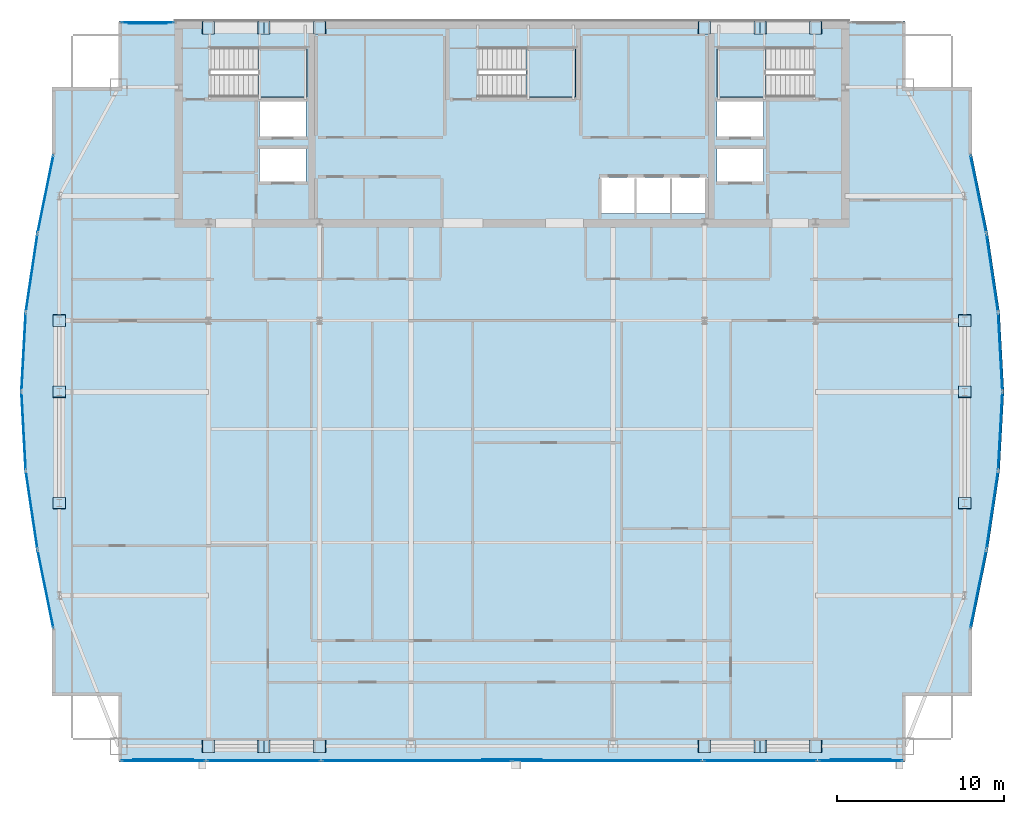
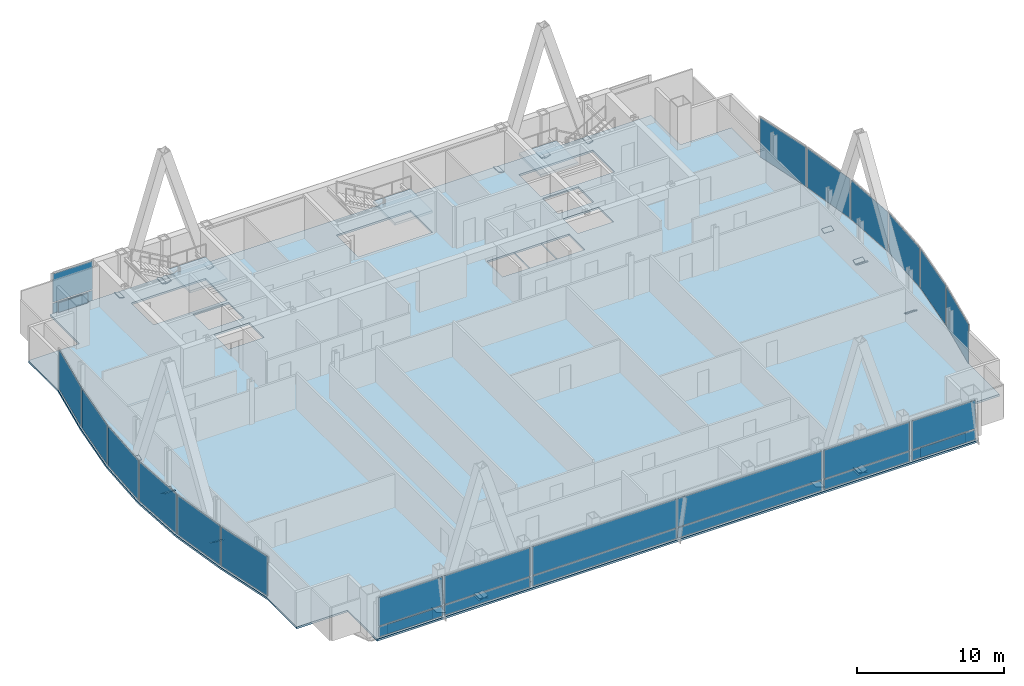
# One storey, part 25 of 31: 54 plates, 4 slabs, 21 elements without a shape of their own.
"""IFC4 building model written with IfcOpenShell, lengths in metres."""

from ifc_helpers import new_model, si_unit, direction, frame, origin, origin_2d, place, context, subcontext, project, spatial, polyline, rectangle, outline, extrude, material, layer, layer_set, type_object, element, aggregate, save


model = new_model("IFC4")

# Units and contexts
model_context = context("Model", 3, precision=1e-05, world=origin(), true_north=direction((0.0, 1.0)))
body_context = subcontext(model_context, "Body", "Model", "MODEL_VIEW")
ifc_project = project(units=[si_unit("LENGTHUNIT", "METRE"), si_unit("AREAUNIT", "SQUARE_METRE"), si_unit("VOLUMEUNIT", "CUBIC_METRE"), si_unit("PLANEANGLEUNIT", "RADIAN"), si_unit("MASSUNIT", "GRAM", prefix="KILO")], contexts=[model_context])

# Site, building, storey
site_placement = place(None, origin())
site = spatial("IfcSite", under=ifc_project, at=site_placement, CompositionType="ELEMENT")
building_placement = place(site_placement, origin())
building = spatial("IfcBuilding", under=site, at=building_placement, Name="Khoronbel Lancet Exchange", CompositionType="ELEMENT")
storey_placement = place(building_placement, frame((0.0, 0.0, 273.39990234375)))
storey = spatial("IfcBuildingStorey", under=building, at=storey_placement, Name="L70", CompositionType="ELEMENT", Elevation=273.39990234375)

# Curtain wall, plate
ifc_material_1 = material(Name="Low-E Solar Control Insulating Glass", Category="glass")
curtain_wall_type_1 = type_object("IfcCurtainWallType", Name="CW-4", PredefinedType="NOTDEFINED", material=ifc_material_1)
curtain_wall_1_placement = place(storey_placement, origin())
curtain_wall_1 = element("IfcCurtainWall", 1, at=curtain_wall_1_placement, inside=storey, type_object=curtain_wall_type_1, Name="Unitised curtain wall CW-L70-E05", PredefinedType="NOTDEFINED")
ifc_material_2 = material(Name="Bronze-Anodised Aluminium 6063-T6", Category="aluminium")
ifc_layer_1 = layer(ifc_material_2, 0.050048828125, Name="Bronze-Anodised Aluminium 6063-T6")
ifc_layer_set_1 = layer_set([ifc_layer_1], Name="Bronze-Anodised Aluminium 6063-T6")
plate_type_1 = type_object("IfcPlateType", Name="PLT-CSP1", PredefinedType="SHEET", material=ifc_layer_set_1)
plate_1_placement = place(storey_placement, frame((7.62060546875, 24.33740234375, 0.085205078125), z_axis=(0.0, 0.0, 1.0), x_axis=(-0.147152445645, 0.989113824461, 0.0)))
plate_1 = element("IfcPlate", 2, at=plate_1_placement, type_object=plate_type_1, Name="CW4 panel 1.1", PredefinedType="CURTAIN_PANEL", context=body_context, shape_type="SweptSolid", body=[
    extrude(rectangle(XDim=4.645751953125, YDim=0.0380859375, at=origin_2d()), origin(), (0.0, 0.0, 1.0), 3.27001953125),
])
aggregate(curtain_wall_1, [plate_1])

curtain_wall_2_placement = place(storey_placement, origin())
curtain_wall_2 = element("IfcCurtainWall", 3, at=curtain_wall_2_placement, inside=storey, type_object=curtain_wall_type_1, Name="Unitised curtain wall CW-L70-E06", PredefinedType="NOTDEFINED")
plate_2_placement = place(storey_placement, frame((7.138671875, 29.07958984375, 0.085205078125), z_axis=(0.0, 0.0, 1.0), x_axis=(-0.05436064141, 0.998521367155, 0.0)))
plate_2 = element("IfcPlate", 4, at=plate_2_placement, type_object=plate_type_1, Name="CW4 panel 1.1", PredefinedType="CURTAIN_PANEL", context=body_context, shape_type="SweptSolid", body=[
    extrude(rectangle(XDim=4.597900390625, YDim=0.0380859375, at=origin_2d()), origin(), (0.0, 0.0, 1.0), 3.27001953125),
])
aggregate(curtain_wall_2, [plate_2])

curtain_wall_3_placement = place(storey_placement, origin())
curtain_wall_3 = element("IfcCurtainWall", 5, at=curtain_wall_3_placement, inside=storey, type_object=curtain_wall_type_1, Name="Unitised curtain wall CW-L70-E07", PredefinedType="NOTDEFINED")
plate_3_placement = place(storey_placement, frame((7.138671875, 33.820556640625, 0.085205078125), z_axis=(0.0, 0.0, 1.0), x_axis=(0.05436064141, 0.998521367155, 0.0)))
plate_3 = element("IfcPlate", 6, at=plate_3_placement, type_object=plate_type_1, Name="CW4 panel 1.1", PredefinedType="CURTAIN_PANEL", context=body_context, shape_type="SweptSolid", body=[
    extrude(rectangle(XDim=4.597900390625, YDim=0.0380859375, at=origin_2d()), origin(), (0.0, 0.0, 1.0), 3.27001953125),
])
aggregate(curtain_wall_3, [plate_3])

curtain_wall_4_placement = place(storey_placement, origin())
curtain_wall_4 = element("IfcCurtainWall", 7, at=curtain_wall_4_placement, inside=storey, type_object=curtain_wall_type_1, Name="Unitised curtain wall CW-L70-E08", PredefinedType="NOTDEFINED")
plate_4_placement = place(storey_placement, frame((7.62060546875, 38.562744140625, 0.085205078125), z_axis=(0.0, 0.0, 1.0), x_axis=(0.147152445645, 0.989113824461, 0.0)))
plate_4 = element("IfcPlate", 8, at=plate_4_placement, type_object=plate_type_1, Name="CW4 panel 1.1", PredefinedType="CURTAIN_PANEL", context=body_context, shape_type="SweptSolid", body=[
    extrude(rectangle(XDim=4.645751953125, YDim=0.0380859375, at=origin_2d()), origin(), (0.0, 0.0, 1.0), 3.27001953125),
])
aggregate(curtain_wall_4, [plate_4])

curtain_wall_type_2 = type_object("IfcCurtainWallType", Name="CW-3", PredefinedType="NOTDEFINED", material=ifc_material_1)
curtain_wall_5_placement = place(storey_placement, origin())
curtain_wall_5 = element("IfcCurtainWall", 9, at=curtain_wall_5_placement, inside=storey, type_object=curtain_wall_type_2, Name="Unitised curtain wall CW-L70-NWFLK", PredefinedType="NOTDEFINED")
plate_5_placement = place(storey_placement, frame((14.580078125, 53.550048828125, 0.05029296875), z_axis=(0.0, 0.0, 1.0), x_axis=(-1.0, 0.0, 0.0)))
plate_5 = element("IfcPlate", 10, at=plate_5_placement, type_object=plate_type_1, Name="Insulated bronze spandrel cassette CW-L70-NWFLK", PredefinedType="SHEET", context=body_context, shape_type="SweptSolid", body=[
    extrude(rectangle(XDim=2.2958984375, YDim=0.050048828125, at=origin_2d()), origin(), (0.0, 0.0, 1.0), 0.800048828125),
])

curtain_wall_6_placement = place(storey_placement, origin())
curtain_wall_6 = element("IfcCurtainWall", 11, at=curtain_wall_6_placement, inside=storey, type_object=curtain_wall_type_1, Name="Unitised curtain wall CW-L70-E18", PredefinedType="NOTDEFINED")
plate_6_placement = place(storey_placement, frame((65.279296875, 38.562744140625, 0.085205078125), z_axis=(0.0, 0.0, 1.0), x_axis=(0.147152445645, -0.989113824461, 0.0)))
plate_6 = element("IfcPlate", 12, at=plate_6_placement, type_object=plate_type_1, Name="CW4 panel 1.1", PredefinedType="CURTAIN_PANEL", context=body_context, shape_type="SweptSolid", body=[
    extrude(rectangle(XDim=4.645751953125, YDim=0.0380859375, at=origin_2d()), origin(), (0.0, 0.0, 1.0), 3.27001953125),
])
aggregate(curtain_wall_6, [plate_6])

curtain_wall_7_placement = place(storey_placement, origin())
curtain_wall_7 = element("IfcCurtainWall", 13, at=curtain_wall_7_placement, inside=storey, type_object=curtain_wall_type_1, Name="Unitised curtain wall CW-L70-E19", PredefinedType="NOTDEFINED")
plate_7_placement = place(storey_placement, frame((65.76123046875, 33.820556640625, 0.085205078125), z_axis=(0.0, 0.0, 1.0), x_axis=(0.05436064141, -0.998521367155, 0.0)))
plate_7 = element("IfcPlate", 14, at=plate_7_placement, type_object=plate_type_1, Name="CW4 panel 1.1", PredefinedType="CURTAIN_PANEL", context=body_context, shape_type="SweptSolid", body=[
    extrude(rectangle(XDim=4.597900390625, YDim=0.0380859375, at=origin_2d()), origin(), (0.0, 0.0, 1.0), 3.27001953125),
])
aggregate(curtain_wall_7, [plate_7])

curtain_wall_8_placement = place(storey_placement, origin())
curtain_wall_8 = element("IfcCurtainWall", 15, at=curtain_wall_8_placement, inside=storey, type_object=curtain_wall_type_1, Name="Unitised curtain wall CW-L70-E20", PredefinedType="NOTDEFINED")
plate_8_placement = place(storey_placement, frame((65.76123046875, 29.07958984375, 0.085205078125), z_axis=(0.0, 0.0, 1.0), x_axis=(-0.05436064141, -0.998521367155, 0.0)))
plate_8 = element("IfcPlate", 16, at=plate_8_placement, type_object=plate_type_1, Name="CW4 panel 1.1", PredefinedType="CURTAIN_PANEL", context=body_context, shape_type="SweptSolid", body=[
    extrude(rectangle(XDim=4.597900390625, YDim=0.0380859375, at=origin_2d()), origin(), (0.0, 0.0, 1.0), 3.27001953125),
])
aggregate(curtain_wall_8, [plate_8])

curtain_wall_9_placement = place(storey_placement, origin())
curtain_wall_9 = element("IfcCurtainWall", 17, at=curtain_wall_9_placement, inside=storey, type_object=curtain_wall_type_1, Name="Unitised curtain wall CW-L70-E21", PredefinedType="NOTDEFINED")
plate_9_placement = place(storey_placement, frame((65.279296875, 24.33740234375, 0.085205078125), z_axis=(0.0, 0.0, 1.0), x_axis=(-0.147152445645, -0.989113824461, 0.0)))
plate_9 = element("IfcPlate", 18, at=plate_9_placement, type_object=plate_type_1, Name="CW4 panel 1.1", PredefinedType="CURTAIN_PANEL", context=body_context, shape_type="SweptSolid", body=[
    extrude(rectangle(XDim=4.645751953125, YDim=0.0380859375, at=origin_2d()), origin(), (0.0, 0.0, 1.0), 3.27001953125),
])
aggregate(curtain_wall_9, [plate_9])

curtain_wall_10_placement = place(storey_placement, origin())
curtain_wall_10 = element("IfcCurtainWall", 19, at=curtain_wall_10_placement, inside=storey, type_object=curtain_wall_type_2, Name="Unitised curtain wall CW-L70-SWV", PredefinedType="NOTDEFINED")
plate_10_placement = place(storey_placement, frame((15.52001953125, 9.35009765625, 0.05029296875), z_axis=(0.0, 0.0, 1.0), x_axis=(1.0, 0.0, 0.0)))
plate_10 = element("IfcPlate", 20, at=plate_10_placement, type_object=plate_type_1, Name="Insulated bronze spandrel cassette CW-L70-SWV", PredefinedType="SHEET", context=body_context, shape_type="SweptSolid", body=[
    extrude(rectangle(XDim=3.60009765625, YDim=0.050048828125, at=origin_2d()), origin(), (0.0, 0.0, 1.0), 0.800048828125),
])

# Curtain wall, plates
curtain_wall_11_placement = place(storey_placement, origin())
curtain_wall_11 = element("IfcCurtainWall", 21, at=curtain_wall_11_placement, inside=storey, type_object=curtain_wall_type_2, Name="Unitised curtain wall CW-L70-SWB", PredefinedType="NOTDEFINED")
plate_11_placement = place(storey_placement, frame((21.550048828125, 9.2900390625, 0.0849609375), z_axis=(0.0, 0.0, 1.0), x_axis=(1.0, 0.0, 0.0)))
plate_11 = element("IfcPlate", 22, at=plate_11_placement, type_object=plate_type_1, Name="CW3 panel 1.1", PredefinedType="CURTAIN_PANEL", context=body_context, shape_type="SweptSolid", body=[
    extrude(rectangle(XDim=6.72998046875, YDim=0.0380859375, at=origin_2d()), origin(), (0.0, 0.0, 1.0), 0.822509765625),
])
plate_12_placement = place(storey_placement, frame((21.550048828125, 9.2900390625, 0.99267578125), z_axis=(0.0, 0.0, 1.0), x_axis=(1.0, 0.0, 0.0)))
plate_12 = element("IfcPlate", 23, at=plate_12_placement, type_object=plate_type_1, Name="CW3 panel 1.2", PredefinedType="CURTAIN_PANEL", context=body_context, shape_type="SweptSolid", body=[
    extrude(rectangle(XDim=6.72998046875, YDim=0.0380859375, at=origin_2d()), origin(), (0.0, 0.0, 1.0), 2.362548828125),
])
aggregate(curtain_wall_11, [plate_11, plate_12])

# Curtain wall, plate
curtain_wall_12_placement = place(storey_placement, origin())
curtain_wall_12 = element("IfcCurtainWall", 24, at=curtain_wall_12_placement, inside=storey, type_object=curtain_wall_type_2, Name="Unitised curtain wall CW-L70-SCV", PredefinedType="NOTDEFINED")
plate_13_placement = place(storey_placement, frame((36.449951171875, 9.35009765625, 0.05029296875), z_axis=(0.0, 0.0, 1.0), x_axis=(1.0, 0.0, 0.0)))
plate_13 = element("IfcPlate", 25, at=plate_13_placement, type_object=plate_type_1, Name="Insulated bronze spandrel cassette CW-L70-SCV", PredefinedType="SHEET", context=body_context, shape_type="SweptSolid", body=[
    extrude(rectangle(XDim=3.60009765625, YDim=0.050048828125, at=origin_2d()), origin(), (0.0, 0.0, 1.0), 0.800048828125),
])

# Curtain wall, plates
curtain_wall_13_placement = place(storey_placement, origin())
curtain_wall_13 = element("IfcCurtainWall", 26, at=curtain_wall_13_placement, inside=storey, type_object=curtain_wall_type_2, Name="Unitised curtain wall CW-L70-SEB", PredefinedType="NOTDEFINED")
plate_14_placement = place(storey_placement, frame((51.35009765625, 9.2900390625, 0.0849609375), z_axis=(0.0, 0.0, 1.0), x_axis=(1.0, 0.0, 0.0)))
plate_14 = element("IfcPlate", 27, at=plate_14_placement, type_object=plate_type_1, Name="CW3 panel 1.1", PredefinedType="CURTAIN_PANEL", context=body_context, shape_type="SweptSolid", body=[
    extrude(rectangle(XDim=6.72998046875, YDim=0.0380859375, at=origin_2d()), origin(), (0.0, 0.0, 1.0), 0.822509765625),
])
plate_15_placement = place(storey_placement, frame((51.35009765625, 9.2900390625, 0.99267578125), z_axis=(0.0, 0.0, 1.0), x_axis=(1.0, 0.0, 0.0)))
plate_15 = element("IfcPlate", 28, at=plate_15_placement, type_object=plate_type_1, Name="CW3 panel 1.2", PredefinedType="CURTAIN_PANEL", context=body_context, shape_type="SweptSolid", body=[
    extrude(rectangle(XDim=6.72998046875, YDim=0.0380859375, at=origin_2d()), origin(), (0.0, 0.0, 1.0), 2.362548828125),
])
aggregate(curtain_wall_13, [plate_14, plate_15])

# Curtain wall, plate
curtain_wall_14_placement = place(storey_placement, origin())
curtain_wall_14 = element("IfcCurtainWall", 29, at=curtain_wall_14_placement, inside=storey, type_object=curtain_wall_type_2, Name="Unitised curtain wall CW-L70-SEV", PredefinedType="NOTDEFINED")
plate_16_placement = place(storey_placement, frame((57.3798828125, 9.35009765625, 0.05029296875), z_axis=(0.0, 0.0, 1.0), x_axis=(1.0, 0.0, 0.0)))
plate_16 = element("IfcPlate", 30, at=plate_16_placement, type_object=plate_type_1, Name="Insulated bronze spandrel cassette CW-L70-SEV", PredefinedType="SHEET", context=body_context, shape_type="SweptSolid", body=[
    extrude(rectangle(XDim=3.60009765625, YDim=0.050048828125, at=origin_2d()), origin(), (0.0, 0.0, 1.0), 0.800048828125),
])

# Plate
ifc_layer_2 = layer(ifc_material_1, 0.035888671875, Name="Low-E Solar Control Insulating Glass")
ifc_layer_set_2 = layer_set([ifc_layer_2], Name="Low-E Solar Control Insulating Glass")
plate_type_2 = type_object("IfcPlateType", Name="PLT-CWP1", PredefinedType="CURTAIN_PANEL", material=ifc_layer_set_2)
plate_17_placement = place(storey_placement, frame((14.580078125, 53.610107421875, 0.0849609375), z_axis=(0.0, 0.0, 1.0), x_axis=(-1.0, 0.0, 0.0)))
plate_17 = element("IfcPlate", 31, at=plate_17_placement, type_object=plate_type_2, Name="CW3 panel 1.1", PredefinedType="CURTAIN_PANEL", context=body_context, shape_type="SweptSolid", body=[
    extrude(rectangle(XDim=3.110107421875, YDim=0.0380859375, at=origin_2d()), origin(), (0.0, 0.0, 1.0), 0.822509765625),
])

plate_18_placement = place(storey_placement, frame((14.580078125, 53.610107421875, 0.99267578125), z_axis=(0.0, 0.0, 1.0), x_axis=(-1.0, 0.0, 0.0)))
plate_18 = element("IfcPlate", 32, at=plate_18_placement, type_object=plate_type_2, Name="CW3 panel 1.2", PredefinedType="CURTAIN_PANEL", context=body_context, shape_type="SweptSolid", body=[
    extrude(rectangle(XDim=3.110107421875, YDim=0.0380859375, at=origin_2d()), origin(), (0.0, 0.0, 1.0), 2.362548828125),
])

aggregate(curtain_wall_5, [plate_17, plate_18, plate_5])

plate_19_placement = place(storey_placement, frame((15.52001953125, 9.2900390625, 0.0849609375), z_axis=(0.0, 0.0, 1.0), x_axis=(1.0, 0.0, 0.0)))
plate_19 = element("IfcPlate", 33, at=plate_19_placement, type_object=plate_type_2, Name="CW3 panel 1.1", PredefinedType="CURTAIN_PANEL", context=body_context, shape_type="SweptSolid", body=[
    extrude(rectangle(XDim=4.989990234375, YDim=0.0380859375, at=origin_2d()), origin(), (0.0, 0.0, 1.0), 0.822509765625),
])

plate_20_placement = place(storey_placement, frame((15.52001953125, 9.2900390625, 0.99267578125), z_axis=(0.0, 0.0, 1.0), x_axis=(1.0, 0.0, 0.0)))
plate_20 = element("IfcPlate", 34, at=plate_20_placement, type_object=plate_type_2, Name="CW3 panel 1.2", PredefinedType="CURTAIN_PANEL", context=body_context, shape_type="SweptSolid", body=[
    extrude(rectangle(XDim=4.989990234375, YDim=0.0380859375, at=origin_2d()), origin(), (0.0, 0.0, 1.0), 2.362548828125),
])

aggregate(curtain_wall_10, [plate_19, plate_20, plate_10])

plate_21_placement = place(storey_placement, frame((30.746337890625, 9.2900390625, 0.0849609375), z_axis=(0.0, 0.0, 1.0), x_axis=(1.0, 0.0, 0.0)))
plate_21 = element("IfcPlate", 35, at=plate_21_placement, type_object=plate_type_2, Name="CW3 panel 1.1", PredefinedType="CURTAIN_PANEL", context=body_context, shape_type="SweptSolid", body=[
    extrude(rectangle(XDim=11.322509765625, YDim=0.0380859375, at=origin_2d()), origin(), (0.0, 0.0, 1.0), 0.822509765625),
])

plate_22_placement = place(storey_placement, frame((30.746337890625, 9.2900390625, 0.99267578125), z_axis=(0.0, 0.0, 1.0), x_axis=(1.0, 0.0, 0.0)))
plate_22 = element("IfcPlate", 36, at=plate_22_placement, type_object=plate_type_2, Name="CW3 panel 1.2", PredefinedType="CURTAIN_PANEL", context=body_context, shape_type="SweptSolid", body=[
    extrude(rectangle(XDim=11.322509765625, YDim=0.0380859375, at=origin_2d()), origin(), (0.0, 0.0, 1.0), 2.362548828125),
])

plate_23_placement = place(storey_placement, frame((42.15380859375, 9.2900390625, 0.0849609375), z_axis=(0.0, 0.0, 1.0), x_axis=(1.0, 0.0, 0.0)))
plate_23 = element("IfcPlate", 37, at=plate_23_placement, type_object=plate_type_2, Name="CW3 panel 2.1", PredefinedType="CURTAIN_PANEL", context=body_context, shape_type="SweptSolid", body=[
    extrude(rectangle(XDim=11.322509765625, YDim=0.0380859375, at=origin_2d()), origin(), (0.0, 0.0, 1.0), 0.822509765625),
])

plate_24_placement = place(storey_placement, frame((42.15380859375, 9.2900390625, 0.99267578125), z_axis=(0.0, 0.0, 1.0), x_axis=(1.0, 0.0, 0.0)))
plate_24 = element("IfcPlate", 38, at=plate_24_placement, type_object=plate_type_2, Name="CW3 panel 2.2", PredefinedType="CURTAIN_PANEL", context=body_context, shape_type="SweptSolid", body=[
    extrude(rectangle(XDim=11.322509765625, YDim=0.0380859375, at=origin_2d()), origin(), (0.0, 0.0, 1.0), 2.362548828125),
])

aggregate(curtain_wall_12, [plate_21, plate_22, plate_23, plate_24, plate_13])

plate_25_placement = place(storey_placement, frame((57.3798828125, 9.2900390625, 0.0849609375), z_axis=(0.0, 0.0, 1.0), x_axis=(1.0, 0.0, 0.0)))
plate_25 = element("IfcPlate", 39, at=plate_25_placement, type_object=plate_type_2, Name="CW3 panel 1.1", PredefinedType="CURTAIN_PANEL", context=body_context, shape_type="SweptSolid", body=[
    extrude(rectangle(XDim=4.989990234375, YDim=0.0380859375, at=origin_2d()), origin(), (0.0, 0.0, 1.0), 0.822509765625),
])

plate_26_placement = place(storey_placement, frame((57.3798828125, 9.2900390625, 0.99267578125), z_axis=(0.0, 0.0, 1.0), x_axis=(1.0, 0.0, 0.0)))
plate_26 = element("IfcPlate", 40, at=plate_26_placement, type_object=plate_type_2, Name="CW3 panel 1.2", PredefinedType="CURTAIN_PANEL", context=body_context, shape_type="SweptSolid", body=[
    extrude(rectangle(XDim=4.989990234375, YDim=0.0380859375, at=origin_2d()), origin(), (0.0, 0.0, 1.0), 2.362548828125),
])

aggregate(curtain_wall_14, [plate_25, plate_26, plate_16])

# Curtain wall, plate
curtain_wall_15_placement = place(storey_placement, origin())
curtain_wall_15 = element("IfcCurtainWall", 41, at=curtain_wall_15_placement, inside=storey, type_object=curtain_wall_type_1, Name="Unitised curtain wall CW-L70-E04", PredefinedType="NOTDEFINED")
ifc_material_3 = material(Name="Ceramic-Fritted Laminated Insulating Glass", Category="glass")
ifc_layer_3 = layer(ifc_material_3, 0.0419921875, Name="Ceramic-Fritted Laminated Insulating Glass")
ifc_layer_set_3 = layer_set([ifc_layer_3], Name="Ceramic-Fritted Laminated Insulating Glass")
plate_type_3 = type_object("IfcPlateType", Name="PLT-CWP2", PredefinedType="CURTAIN_PANEL", material=ifc_layer_set_3)
plate_27_placement = place(storey_placement, frame((8.456787109375, 19.58740234375, 0.085205078125), z_axis=(0.0, 0.0, 1.0), x_axis=(-0.199126393935, 0.979973815588, 0.0)))
plate_27 = element("IfcPlate", 42, at=plate_27_placement, type_object=plate_type_3, Name="CW4 panel 1.1", PredefinedType="CURTAIN_PANEL", context=body_context, shape_type="SweptSolid", body=[
    extrude(rectangle(XDim=4.70361328125, YDim=0.0380859375, at=origin_2d()), origin(), (0.0, 0.0, 1.0), 3.27001953125),
])
aggregate(curtain_wall_15, [plate_27])

curtain_wall_16_placement = place(storey_placement, origin())
curtain_wall_16 = element("IfcCurtainWall", 43, at=curtain_wall_16_placement, inside=storey, type_object=curtain_wall_type_1, Name="Unitised curtain wall CW-L70-E09", PredefinedType="NOTDEFINED")
plate_28_placement = place(storey_placement, frame((8.456787109375, 43.312744140625, 0.085205078125), z_axis=(0.0, 0.0, 1.0), x_axis=(0.199126393935, 0.979973815588, 0.0)))
plate_28 = element("IfcPlate", 44, at=plate_28_placement, type_object=plate_type_3, Name="CW4 panel 1.1", PredefinedType="CURTAIN_PANEL", context=body_context, shape_type="SweptSolid", body=[
    extrude(rectangle(XDim=4.70361328125, YDim=0.0380859375, at=origin_2d()), origin(), (0.0, 0.0, 1.0), 3.27001953125),
])
aggregate(curtain_wall_16, [plate_28])

curtain_wall_17_placement = place(storey_placement, origin())
curtain_wall_17 = element("IfcCurtainWall", 45, at=curtain_wall_17_placement, inside=storey, type_object=curtain_wall_type_1, Name="Unitised curtain wall CW-L70-E17", PredefinedType="NOTDEFINED")
plate_29_placement = place(storey_placement, frame((64.443359375, 43.312744140625, 0.085205078125), z_axis=(0.0, 0.0, 1.0), x_axis=(0.199126393935, -0.979973815588, 0.0)))
plate_29 = element("IfcPlate", 46, at=plate_29_placement, type_object=plate_type_3, Name="CW4 panel 1.1", PredefinedType="CURTAIN_PANEL", context=body_context, shape_type="SweptSolid", body=[
    extrude(rectangle(XDim=4.70361328125, YDim=0.0380859375, at=origin_2d()), origin(), (0.0, 0.0, 1.0), 3.27001953125),
])
aggregate(curtain_wall_17, [plate_29])

curtain_wall_18_placement = place(storey_placement, origin())
curtain_wall_18 = element("IfcCurtainWall", 47, at=curtain_wall_18_placement, inside=storey, type_object=curtain_wall_type_1, Name="Unitised curtain wall CW-L70-E22", PredefinedType="NOTDEFINED")
plate_30_placement = place(storey_placement, frame((64.443359375, 19.58740234375, 0.085205078125), z_axis=(0.0, 0.0, 1.0), x_axis=(-0.199126393935, -0.979973815588, 0.0)))
plate_30 = element("IfcPlate", 48, at=plate_30_placement, type_object=plate_type_3, Name="CW4 panel 1.1", PredefinedType="CURTAIN_PANEL", context=body_context, shape_type="SweptSolid", body=[
    extrude(rectangle(XDim=4.70361328125, YDim=0.0380859375, at=origin_2d()), origin(), (0.0, 0.0, 1.0), 3.27001953125),
])
aggregate(curtain_wall_18, [plate_30])

# Plates
ifc_material_4 = material(Name="Steel S460", Category="steel")
ifc_layer_4 = layer(ifc_material_4, 0.044921875, Name="Steel S460")
ifc_layer_set_4 = layer_set([ifc_layer_4], Name="Steel S460")
plate_type_4 = type_object("IfcPlateType", Name="PLT-ECP1", PredefinedType="USERDEFINED", material=ifc_layer_set_4)
for number, where, z_axis, x_axis, name in (
    (49, (21.936767578125, 9.77001953125, -0.0732421875), (0.276630136091, 0.0, 0.960976465792), (0.0, 1.0, 0.0), "Hollow end cap plate PLT-CAP-MEM-MB-T23-S-W-L-1"),
    (50, (21.188232421875, 10.530029296875, -0.0732421875), (-0.276630136091, 0.0, 0.960976465792), (0.0, -1.0, 0.0), "Hollow end cap plate PLT-CAP-MEM-MB-T23-S-W-R-1"),
):
    element("IfcPlate", number, at=place(storey_placement, frame(where, z_axis=z_axis, x_axis=x_axis)), inside=storey, type_object=plate_type_4, Name=name, ObjectType="STIFFENER_PLATE", PredefinedType="USERDEFINED", context=body_context, shape_type="SweptSolid", body=[
        extrude(outline(polyline([(0.0, 0.0), (0.760009765625, 0.0), (0.760009765625, 0.759765625), (0.0, 0.759765625), (0.0, 0.0)])), origin(), (0.0, 0.0, -1.0), 0.044921875),
    ])
for number, where, z_axis, x_axis, name in (
    (51, (51.7119140625, 9.77001953125, -0.0732421875), (0.276544751389, 0.0, 0.961001040831), (0.0, 1.0, 0.0), "Hollow end cap plate PLT-CAP-MEM-MB-T23-S-E-L-1"),
    (52, (50.963134765625, 10.530029296875, -0.0732421875), (-0.276544751389, 0.0, 0.961001040831), (0.0, -1.0, 0.0), "Hollow end cap plate PLT-CAP-MEM-MB-T23-S-E-R-1"),
):
    element("IfcPlate", number, at=place(storey_placement, frame(where, z_axis=z_axis, x_axis=x_axis)), inside=storey, type_object=plate_type_4, Name=name, ObjectType="STIFFENER_PLATE", PredefinedType="USERDEFINED", context=body_context, shape_type="SweptSolid", body=[
        extrude(outline(polyline([(0.0, 0.0), (0.760009765625, 0.0), (0.760009765625, 0.760009765625), (0.0, 0.760009765625), (0.0, 0.0)])), origin(), (0.0, 0.0, -1.0), 0.044921875),
    ])
for number, where, z_axis, x_axis, name in (
    (53, (21.936767578125, 52.89990234375, -0.0732421875), (0.276630136091, 0.0, 0.960976465792), (0.0, 1.0, 0.0), "Hollow end cap plate PLT-CAP-MEM-MB-T23-N-W-L-1"),
    (54, (21.188232421875, 53.659912109375, -0.0732421875), (-0.276630136091, 0.0, 0.960976465792), (0.0, -1.0, 0.0), "Hollow end cap plate PLT-CAP-MEM-MB-T23-N-W-R-1"),
):
    element("IfcPlate", number, at=place(storey_placement, frame(where, z_axis=z_axis, x_axis=x_axis)), inside=storey, type_object=plate_type_4, Name=name, ObjectType="STIFFENER_PLATE", PredefinedType="USERDEFINED", context=body_context, shape_type="SweptSolid", body=[
        extrude(outline(polyline([(0.0, 0.0), (0.760009765625, 0.0), (0.760009765625, 0.759765625), (0.0, 0.759765625), (0.0, 0.0)])), origin(), (0.0, 0.0, -1.0), 0.044921875),
    ])
for number, where, z_axis, x_axis, name in (
    (55, (51.7119140625, 52.89990234375, -0.0732421875), (0.276544751389, 0.0, 0.961001040831), (0.0, 1.0, 0.0), "Hollow end cap plate PLT-CAP-MEM-MB-T23-N-E-L-1"),
    (56, (50.963134765625, 53.659912109375, -0.0732421875), (-0.276544751389, 0.0, 0.961001040831), (0.0, -1.0, 0.0), "Hollow end cap plate PLT-CAP-MEM-MB-T23-N-E-R-1"),
    (57, (9.64990234375, 31.770751953125, -0.160888671875), (0.0, 0.498869402244, 0.866677171445), (-1.0, 0.0, 0.0), "Hollow end cap plate PLT-CAP-MEM-MB-T23-W-P-L-1"),
    (58, (8.889892578125, 31.05712890625, -0.100341796875), (0.0, -0.345660697406, 0.938359569818), (1.0, 0.0, 0.0), "Hollow end cap plate PLT-CAP-MEM-MB-T23-W-P-R-1"),
    (59, (64.010009765625, 31.770751953125, -0.160888671875), (0.0, 0.498869402244, 0.866677171445), (-1.0, 0.0, 0.0), "Hollow end cap plate PLT-CAP-MEM-MB-T23-E-P-L-1"),
    (60, (63.25, 31.05712890625, -0.100341796875), (0.0, -0.345660697406, 0.938359569818), (1.0, 0.0, 0.0), "Hollow end cap plate PLT-CAP-MEM-MB-T23-E-P-R-1"),
    (61, (18.591552734375, 9.77001953125, -0.1005859375), (0.295236958021, 0.0, 0.955424062193), (0.0, 1.0, 0.0), "Hollow end cap plate PLT-CAP-MEM-MB-T24-S-W-L-0"),
    (62, (24.533447265625, 10.530029296875, -0.1005859375), (-0.295236958021, 0.0, 0.955424062193), (0.0, -1.0, 0.0), "Hollow end cap plate PLT-CAP-MEM-MB-T24-S-W-R-0"),
):
    element("IfcPlate", number, at=place(storey_placement, frame(where, z_axis=z_axis, x_axis=x_axis)), inside=storey, type_object=plate_type_4, Name=name, ObjectType="STIFFENER_PLATE", PredefinedType="USERDEFINED", context=body_context, shape_type="SweptSolid", body=[
        extrude(outline(polyline([(0.0, 0.0), (0.760009765625, 0.0), (0.760009765625, 0.760009765625), (0.0, 0.760009765625), (0.0, 0.0)])), origin(), (0.0, 0.0, -1.0), 0.044921875),
    ])
plate_31_placement = place(storey_placement, frame((48.36669921875, 9.77001953125, -0.1005859375), z_axis=(0.295146364908, 0.0, 0.955452051796), x_axis=(0.0, 1.0, 0.0)))
element("IfcPlate", 63, at=plate_31_placement, inside=storey, type_object=plate_type_4, Name="Hollow end cap plate PLT-CAP-MEM-MB-T24-S-E-L-0", ObjectType="STIFFENER_PLATE", PredefinedType="USERDEFINED", context=body_context, shape_type="SweptSolid", body=[
    extrude(outline(polyline([(0.0, 0.0), (0.760009765625, 0.0), (0.760009765625, 0.76025390625), (0.0, 0.76025390625), (0.0, 0.0)])), origin(), (0.0, 0.0, -1.0), 0.044921875),
])
for number, where, z_axis, x_axis, name in (
    (64, (54.308349609375, 10.530029296875, -0.1005859375), (-0.295236958021, 0.0, 0.955424062193), (0.0, -1.0, 0.0), "Hollow end cap plate PLT-CAP-MEM-MB-T24-S-E-R-0"),
    (65, (18.591552734375, 52.89990234375, -0.1005859375), (0.295236958021, 0.0, 0.955424062193), (0.0, 1.0, 0.0), "Hollow end cap plate PLT-CAP-MEM-MB-T24-N-W-L-0"),
    (66, (24.533447265625, 53.659912109375, -0.1005859375), (-0.295236958021, 0.0, 0.955424062193), (0.0, -1.0, 0.0), "Hollow end cap plate PLT-CAP-MEM-MB-T24-N-W-R-0"),
):
    element("IfcPlate", number, at=place(storey_placement, frame(where, z_axis=z_axis, x_axis=x_axis)), inside=storey, type_object=plate_type_4, Name=name, ObjectType="STIFFENER_PLATE", PredefinedType="USERDEFINED", context=body_context, shape_type="SweptSolid", body=[
        extrude(outline(polyline([(0.0, 0.0), (0.760009765625, 0.0), (0.760009765625, 0.760009765625), (0.0, 0.760009765625), (0.0, 0.0)])), origin(), (0.0, 0.0, -1.0), 0.044921875),
    ])
plate_32_placement = place(storey_placement, frame((48.36669921875, 52.89990234375, -0.1005859375), z_axis=(0.295146364908, 0.0, 0.955452051796), x_axis=(0.0, 1.0, 0.0)))
element("IfcPlate", 67, at=plate_32_placement, inside=storey, type_object=plate_type_4, Name="Hollow end cap plate PLT-CAP-MEM-MB-T24-N-E-L-0", ObjectType="STIFFENER_PLATE", PredefinedType="USERDEFINED", context=body_context, shape_type="SweptSolid", body=[
    extrude(outline(polyline([(0.0, 0.0), (0.760009765625, 0.0), (0.760009765625, 0.76025390625), (0.0, 0.76025390625), (0.0, 0.0)])), origin(), (0.0, 0.0, -1.0), 0.044921875),
])
for number, where, z_axis, x_axis, name in (
    (68, (54.308349609375, 53.659912109375, -0.1005859375), (-0.295236958021, 0.0, 0.955424062193), (0.0, -1.0, 0.0), "Hollow end cap plate PLT-CAP-MEM-MB-T24-N-E-R-0"),
    (69, (9.64990234375, 25.07958984375, -0.189453125), (0.0, 0.525834774126, 0.850586732979), (-1.0, 0.0, 0.0), "Hollow end cap plate PLT-CAP-MEM-MB-T24-W-P-L-0"),
    (70, (8.889892578125, 35.34228515625, -0.128662109375), (0.0, -0.368175750156, 0.929756213745), (1.0, 0.0, 0.0), "Hollow end cap plate PLT-CAP-MEM-MB-T24-W-P-R-0"),
    (71, (64.010009765625, 25.07958984375, -0.189453125), (0.0, 0.525834774126, 0.850586732979), (-1.0, 0.0, 0.0), "Hollow end cap plate PLT-CAP-MEM-MB-T24-E-P-L-0"),
    (72, (63.25, 35.34228515625, -0.128662109375), (0.0, -0.368175750156, 0.929756213745), (1.0, 0.0, 0.0), "Hollow end cap plate PLT-CAP-MEM-MB-T24-E-P-R-0"),
):
    element("IfcPlate", number, at=place(storey_placement, frame(where, z_axis=z_axis, x_axis=x_axis)), inside=storey, type_object=plate_type_4, Name=name, ObjectType="STIFFENER_PLATE", PredefinedType="USERDEFINED", context=body_context, shape_type="SweptSolid", body=[
        extrude(outline(polyline([(0.0, 0.0), (0.760009765625, 0.0), (0.760009765625, 0.760009765625), (0.0, 0.760009765625), (0.0, 0.0)])), origin(), (0.0, 0.0, -1.0), 0.044921875),
    ])

# Slab
ifc_material_5 = material(Name="Concrete C40/50", Category="concrete")
ifc_layer_5 = layer(ifc_material_5, 0.159912109375, Name="Concrete C40/50")
ifc_layer_set_5 = layer_set([ifc_layer_5], Name="Concrete C40/50")
slab_type_1 = type_object("IfcSlabType", Name="SL-FL160", PredefinedType="FLOOR", material=ifc_layer_set_5)
slab_1_placement = place(storey_placement, frame((0.0, 0.0, -0.159912109375)))
element("IfcSlab", 73, at=slab_1_placement, inside=storey, type_object=slab_type_1, Name="Level L70 composite structural floor slab", PredefinedType="FLOOR", context=body_context, shape_type="SweptSolid", body=[
    extrude(outline(polyline([(12.85009765625, 9.199951171875), (60.050048828125, 9.199951171875), (60.050048828125, 13.199951171875), (64.050048828125, 13.199951171875), (64.050048828125, 17.199951171875), (65.01513671875, 21.949951171875), (65.7216796875, 26.699951171875), (65.98046875, 31.449951171875), (65.7216796875, 36.199951171875), (65.01513671875, 40.949951171875), (64.050048828125, 45.699951171875), (64.050048828125, 49.699951171875), (60.050048828125, 49.699951171875), (60.050048828125, 53.699951171875), (12.85009765625, 53.699951171875), (12.85009765625, 49.699951171875), (8.85009765625, 49.699951171875), (8.85009765625, 45.699951171875), (7.884765625, 40.949951171875), (7.17822265625, 36.199951171875), (6.919677734375, 31.449951171875), (7.17822265625, 26.699951171875), (7.884765625, 21.949951171875), (8.85009765625, 17.199951171875), (8.85009765625, 13.199951171875), (12.85009765625, 13.199951171875), (12.85009765625, 9.199951171875)]), holes=[polyline([(18.324951171875, 49.1201171875), (24.14990234375, 49.1201171875), (24.14990234375, 52.10009765625), (18.324951171875, 52.10009765625), (18.324951171875, 49.1201171875)]), polyline([(48.75, 49.1201171875), (54.574951171875, 49.1201171875), (54.574951171875, 52.10009765625), (48.75, 52.10009765625), (48.75, 49.1201171875)]), polyline([(34.425048828125, 49.1201171875), (40.25, 49.1201171875), (40.25, 52.10009765625), (34.425048828125, 52.10009765625), (34.425048828125, 49.1201171875)]), polyline([(41.739990234375, 42.14990234375), (43.8798828125, 42.14990234375), (43.8798828125, 44.300048828125), (41.739990234375, 44.300048828125), (41.739990234375, 42.14990234375)]), polyline([(43.89990234375, 42.14990234375), (46.0400390625, 42.14990234375), (46.0400390625, 44.300048828125), (43.89990234375, 44.300048828125), (43.89990234375, 42.14990234375)]), polyline([(46.06005859375, 42.14990234375), (48.199951171875, 42.14990234375), (48.199951171875, 44.300048828125), (46.06005859375, 44.300048828125), (46.06005859375, 42.14990234375)]), polyline([(21.300048828125, 46.75), (24.10009765625, 46.75), (24.10009765625, 48.85009765625), (21.300048828125, 48.85009765625), (21.300048828125, 46.75)]), polyline([(48.75, 46.75), (51.550048828125, 46.75), (51.550048828125, 48.85009765625), (48.75, 48.85009765625), (48.75, 46.75)]), polyline([(21.300048828125, 44.050048828125), (24.10009765625, 44.050048828125), (24.10009765625, 46.050048828125), (21.300048828125, 46.050048828125), (21.300048828125, 44.050048828125)]), polyline([(48.75, 44.050048828125), (51.550048828125, 44.050048828125), (51.550048828125, 46.050048828125), (48.75, 46.050048828125), (48.75, 44.050048828125)])]), origin(), (0.0, 0.0, 1.0), 0.159912109375),
])

# Stair, slab
stair_type = type_object("IfcStairType", Name="STR-CORE150", PredefinedType="HALF_TURN_STAIR", material=ifc_material_5)
stair_1_placement = place(storey_placement, origin())
stair_1 = element("IfcStair", 74, at=stair_1_placement, inside=storey, type_object=stair_type, Name="L70 Protected Exit Stair ST1", PredefinedType="HALF_TURN_STAIR")
ifc_layer_6 = layer(ifc_material_5, 0.199951171875, Name="Concrete C40/50")
ifc_layer_set_6 = layer_set([ifc_layer_6], Name="Concrete C40/50")
slab_type_2 = type_object("IfcSlabType", Name="SL-LND180", PredefinedType="LANDING", material=ifc_layer_set_6)
slab_2_placement = place(storey_placement, frame((0.0, 0.0, 1.60009765625)))
slab_2 = element("IfcSlab", 75, at=slab_2_placement, type_object=slab_type_2, Name="ST1 landing 1", PredefinedType="LANDING", context=body_context, shape_type="SweptSolid", body=[
    extrude(outline(polyline([(21.199951171875, 49.1201171875), (24.14990234375, 49.1201171875), (24.14990234375, 52.10009765625), (21.199951171875, 52.10009765625), (21.199951171875, 49.1201171875)])), origin(), (0.0, 0.0, 1.0), 0.199951171875),
])
aggregate(stair_1, [slab_2])

stair_2_placement = place(storey_placement, origin())
stair_2 = element("IfcStair", 76, at=stair_2_placement, inside=storey, type_object=stair_type, Name="L70 Protected Exit Stair ST2", PredefinedType="HALF_TURN_STAIR")
slab_3_placement = place(storey_placement, frame((0.0, 0.0, 1.60009765625)))
slab_3 = element("IfcSlab", 77, at=slab_3_placement, type_object=slab_type_2, Name="ST2 landing 1", PredefinedType="LANDING", context=body_context, shape_type="SweptSolid", body=[
    extrude(outline(polyline([(51.699951171875, 52.10009765625), (48.75, 52.10009765625), (48.75, 49.1201171875), (51.699951171875, 49.1201171875), (51.699951171875, 52.10009765625)])), origin(), (0.0, 0.0, 1.0), 0.199951171875),
])
aggregate(stair_2, [slab_3])

stair_3_placement = place(storey_placement, origin())
stair_3 = element("IfcStair", 78, at=stair_3_placement, inside=storey, type_object=stair_type, Name="L70 Protected Exit Stair ST3", PredefinedType="HALF_TURN_STAIR")
slab_4_placement = place(storey_placement, frame((0.0, 0.0, 1.60009765625)))
slab_4 = element("IfcSlab", 79, at=slab_4_placement, type_object=slab_type_2, Name="ST3 landing 1", PredefinedType="LANDING", context=body_context, shape_type="SweptSolid", body=[
    extrude(outline(polyline([(37.300048828125, 49.1201171875), (40.25, 49.1201171875), (40.25, 52.10009765625), (37.300048828125, 52.10009765625), (37.300048828125, 49.1201171875)])), origin(), (0.0, 0.0, 1.0), 0.199951171875),
])
aggregate(stair_3, [slab_4])

save(model, "model.ifc")
